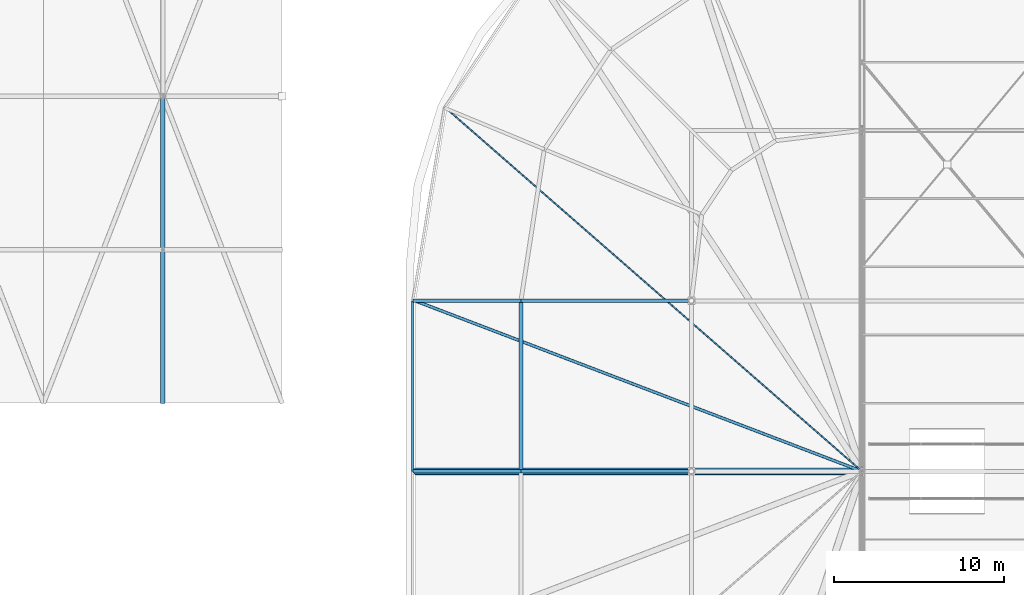
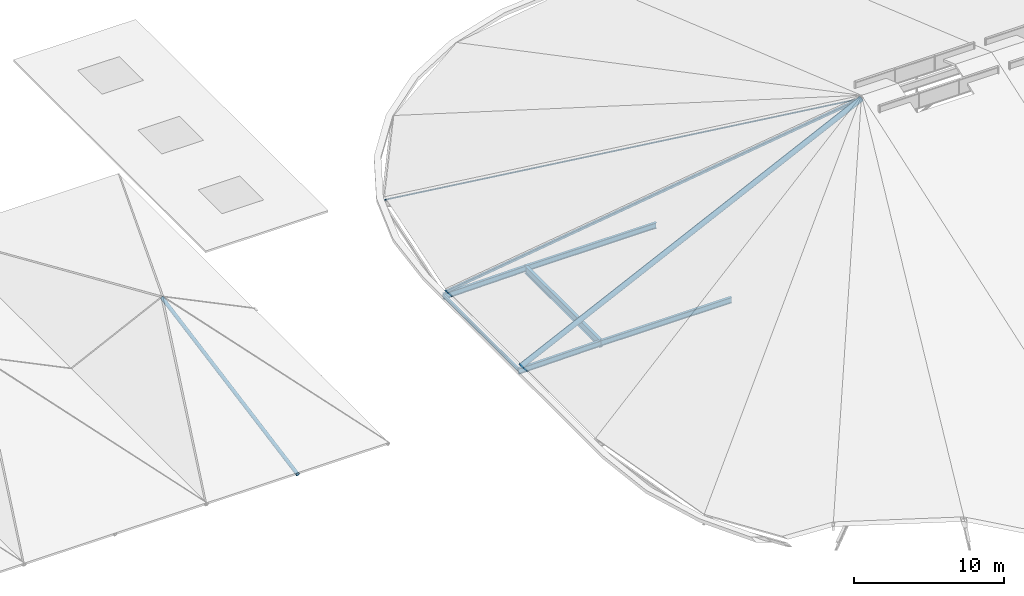
# One storey, part 6 of 93: 6 beams, 4 members.
"""IFC4 building model written with IfcOpenShell, lengths in metres."""

from ifc_helpers import new_model, si_unit, derived_unit, direction, frame, origin, origin_2d_with_axis, place, context, subcontext, project, spatial, hollow_rectangle, hollow_circle, i_section, extrude, material, material_profile, profile_set, type_object, element, save


model = new_model("IFC4")

# Units and contexts
model_context = context("Model", 3, precision=1e-05, world=origin(), true_north=direction((0.0, 1.0)))
body_context = subcontext(model_context, "Body", "Model", "MODEL_VIEW")
ifc_project = project(units=[si_unit("LENGTHUNIT", "METRE"), si_unit("AREAUNIT", "SQUARE_METRE"), si_unit("VOLUMEUNIT", "CUBIC_METRE"), si_unit("PLANEANGLEUNIT", "RADIAN"), si_unit("MASSUNIT", "GRAM", prefix="KILO"), derived_unit("THERMALTRANSMITTANCEUNIT", [(si_unit("POWERUNIT", "WATT"), 1), (si_unit("LENGTHUNIT", "METRE"), -2), (si_unit("THERMODYNAMICTEMPERATUREUNIT", "KELVIN"), -1)])], contexts=[model_context])

# Site, building, storey
site_placement = place(None, origin())
site = spatial("IfcSite", under=ifc_project, at=site_placement, CompositionType="ELEMENT")
building_placement = place(site_placement, origin())
building = spatial("IfcBuilding", under=site, at=building_placement, Name="Cinnabar Yard Market Hall", CompositionType="ELEMENT")
storey_placement = place(building_placement, frame((0.0, 0.0, 23.800048828125)))
storey = spatial("IfcBuildingStorey", under=building, at=storey_placement, Name="ROOF", CompositionType="ELEMENT", Elevation=23.800048828125)

# Beams
ifc_material_1 = material(Name="Steel Grade 350 (350 MPa)", Category="steel")
ifc_material_profile_1 = material_profile(ifc_material_1, i_section(OverallWidth=0.22900390625, OverallDepth=0.611572265625, WebThickness=0.011962890625, FlangeThickness=0.01953125, FilletRadius=0.013916015625, at=origin_2d_with_axis()), Name="610UB125")
ifc_profile_set_1 = profile_set([ifc_material_profile_1], Name="Steel Grade 350 (350 MPa)")
beam_type_1 = type_object("IfcBeamType", Name="BM-B01E", PredefinedType="BEAM", material=ifc_profile_set_1)
beam_1_placement = place(storey_placement, frame((66.0, 44.0, -9.705810546875), z_axis=(0.0, 1.0, 0.0), x_axis=(-1.0, 0.0, 0.0)))
element("IfcBeam", 1, at=beam_1_placement, inside=storey, type_object=beam_type_1, Name="West Springer Girder 00370", PredefinedType="BEAM", context=body_context, shape_type="SweptSolid", body=[
    extrude(i_section(OverallWidth=0.22900390625, OverallDepth=0.611572265625, WebThickness=0.011962890625, FlangeThickness=0.01953125, FilletRadius=0.013916015625, at=origin_2d_with_axis()), origin(), (0.0, 0.0, 1.0), 10.0),
])
ifc_material_2 = material(Name="Steel Grade 300 (300 MPa)", Category="steel")
ifc_material_profile_2 = material_profile(ifc_material_2, i_section(OverallWidth=0.19091796875, OverallDepth=0.46044921875, WebThickness=0.010009765625, FlangeThickness=0.01611328125, FilletRadius=0.011474609375, at=origin_2d_with_axis()), Name="460UB82.1")
ifc_profile_set_2 = profile_set([ifc_material_profile_2], Name="Steel Grade 300 (300 MPa)")
beam_type_2 = type_object("IfcBeamType", Name="BM-B04", PredefinedType="BEAM", material=ifc_profile_set_2)
for number, where, z_axis, x_axis, name in (
    (2, (76.0, 44.0, -9.630126953125), (-1.0, 0.0, 0.0), (0.0, -1.0, 0.0), "West Chhajja Backspan Girder 00564"),
    (3, (76.0, 54.0, -9.630126953125), (-1.0, 0.0, 0.0), (0.0, -1.0, 0.0), "West Chhajja Backspan Girder 00568"),
):
    element("IfcBeam", number, at=place(storey_placement, frame(where, z_axis=z_axis, x_axis=x_axis)), inside=storey, type_object=beam_type_2, Name=name, PredefinedType="BEAM", context=body_context, shape_type="SweptSolid", body=[
        extrude(i_section(OverallWidth=0.19091796875, OverallDepth=0.46044921875, WebThickness=0.010009765625, FlangeThickness=0.01611328125, FilletRadius=0.011474609375, at=origin_2d_with_axis()), origin(), (0.0, 0.0, 1.0), 10.0),
    ])
ifc_material_profile_3 = material_profile(ifc_material_2, i_section(OverallWidth=0.19091796875, OverallDepth=0.46044921875, WebThickness=0.010009765625, FlangeThickness=0.01611328125, FilletRadius=0.011474609375, at=origin_2d_with_axis()), Name="460UB82.1")
ifc_profile_set_3 = profile_set([ifc_material_profile_3], Name="Steel Grade 300 (300 MPa)")
beam_type_3 = type_object("IfcBeamType", Name="BM-RF02E", PredefinedType="BEAM", material=ifc_profile_set_3)
for number, where, z_axis, x_axis, name in (
    (4, (66.0, 44.0, -9.630126953125), (-0.999920245484, 0.0, -0.012629436656), (0.0, -1.0, 0.0), "West Chhajja Cantilever Rafter 00565"),
    (5, (66.0, 54.0, -9.630126953125), (-0.999920245484, 0.0, -0.012629436656), (0.0, -1.0, 0.0), "West Chhajja Cantilever Rafter 00569"),
):
    element("IfcBeam", number, at=place(storey_placement, frame(where, z_axis=z_axis, x_axis=x_axis)), inside=storey, type_object=beam_type_3, Name=name, PredefinedType="BEAM", context=body_context, shape_type="SweptSolid", body=[
        extrude(i_section(OverallWidth=0.19091796875, OverallDepth=0.46044921875, WebThickness=0.010009765625, FlangeThickness=0.01611328125, FilletRadius=0.011474609375, at=origin_2d_with_axis()), origin(), (0.0, 0.0, 1.0), 6.340576171875),
    ])
ifc_material_3 = material(Name="Cold-formed steel C350L0", Category="steel")
ifc_material_profile_4 = material_profile(ifc_material_3, hollow_rectangle(XDim=0.14990234375, YDim=0.25, WallThickness=0.009033203125, InnerFilletRadius=0.009033203125, OuterFilletRadius=0.01806640625, at=origin_2d_with_axis()), Name="250x150x9.0RHS")
ifc_profile_set_4 = profile_set([ifc_material_profile_4], Name="Cold-formed steel C350L0")
beam_type_4 = type_object("IfcBeamType", Name="BM-SP01E", PredefinedType="SPANDREL", material=ifc_profile_set_4)
beam_2_placement = place(storey_placement, frame((59.659912109375, 44.0, -9.60498046875), z_axis=(0.0, 1.0, 0.0), x_axis=(-1.0, 0.0, 0.0)))
element("IfcBeam", 6, at=beam_2_placement, inside=storey, type_object=beam_type_4, Name="West Eave Fascia 00574", PredefinedType="SPANDREL", context=body_context, shape_type="SweptSolid", body=[
    extrude(hollow_rectangle(XDim=0.14990234375, YDim=0.25, WallThickness=0.009033203125, InnerFilletRadius=0.009033203125, OuterFilletRadius=0.01806640625, at=origin_2d_with_axis()), origin(), (0.0, 0.0, 1.0), 10.0),
])

# Members
ifc_material_profile_5 = material_profile(ifc_material_3, hollow_rectangle(XDim=0.175048828125, YDim=0.175048828125, WallThickness=0.006103515625, InnerFilletRadius=0.006103515625, OuterFilletRadius=0.011962890625, at=origin_2d_with_axis()), Name="175x175x6.0SHS")
ifc_profile_set_5 = profile_set([ifc_material_profile_5], Name="Cold-formed steel C350L0")
member_type_1 = type_object("IfcMemberType", Name="MB-BR05", PredefinedType="BRACE", material=ifc_profile_set_5)
member_1_placement = place(storey_placement, frame((86.0, 44.0, 3.199951171875), z_axis=(-0.852194344827, 0.325265623297, -0.409837861776), x_axis=(-0.356588973072, -0.934261368292, 0.0)))
element("IfcMember", 7, at=member_1_placement, inside=storey, type_object=member_type_1, Name="West Apsidal Hip Rafter 06", PredefinedType="BRACE", context=body_context, shape_type="SweptSolid", body=[
    extrude(hollow_rectangle(XDim=0.175048828125, YDim=0.175048828125, WallThickness=0.006103515625, InnerFilletRadius=0.006103515625, OuterFilletRadius=0.011962890625, at=origin_2d_with_axis()), origin(), (0.0, 0.0, 1.0), 30.744140625),
])
ifc_material_profile_6 = material_profile(ifc_material_3, hollow_rectangle(XDim=0.089111328125, YDim=0.089111328125, WallThickness=0.0048828125, InnerFilletRadius=0.0048828125, OuterFilletRadius=0.010009765625, at=origin_2d_with_axis()), Name="89x89x5.0SHS")
ifc_profile_set_6 = profile_set([ifc_material_profile_6], Name="Cold-formed steel C350L0")
member_type_2 = type_object("IfcMemberType", Name="MB-BR06", PredefinedType="BRACE", material=ifc_profile_set_6)
member_2_placement = place(storey_placement, frame((86.0, 44.0, 3.199951171875), z_axis=(-0.701954212015, 0.612706049447, -0.363113730401), x_axis=(-0.657589967821, -0.753376024453, 0.0)))
element("IfcMember", 8, at=member_2_placement, inside=storey, type_object=member_type_2, Name="West Apsidal Hip Rafter 07", PredefinedType="BRACE", context=body_context, shape_type="SweptSolid", body=[
    extrude(hollow_rectangle(XDim=0.089111328125, YDim=0.089111328125, WallThickness=0.0048828125, InnerFilletRadius=0.0048828125, OuterFilletRadius=0.010009765625, at=origin_2d_with_axis()), origin(), (0.0, 0.0, 1.0), 34.7001953125),
])
ifc_material_profile_7 = material_profile(ifc_material_3, hollow_circle(Radius=0.136474609375, WallThickness=0.00927734375, at=origin_2d_with_axis()), Name="273.1x9.3CHS")
ifc_profile_set_7 = profile_set([ifc_material_profile_7], Name="Cold-formed steel C350L0")
member_type_3 = type_object("IfcMemberType", Name="MB-TC02", PredefinedType="CHORD", material=ifc_profile_set_7)
member_3_placement = place(storey_placement, frame((45.0, 48.0, -15.400146484375), z_axis=(0.0, 0.982622643196, 0.185614495874), x_axis=(-1.0, 0.0, 0.0)))
element("IfcMember", 9, at=member_3_placement, inside=storey, type_object=member_type_3, Name="Chhatri Hip Rafter CH3-5", PredefinedType="CHORD", context=body_context, shape_type="SweptSolid", body=[
    extrude(hollow_circle(Radius=0.136474609375, WallThickness=0.00927734375, at=origin_2d_with_axis()), origin(), (0.0, 0.0, 1.0), 18.318359375),
])
ifc_material_profile_8 = material_profile(ifc_material_3, hollow_circle(Radius=0.203125, WallThickness=0.0126953125, at=origin_2d_with_axis()), Name="406.4x12.7CHS")
ifc_profile_set_8 = profile_set([ifc_material_profile_8], Name="Cold-formed steel C350L0")
member_type_4 = type_object("IfcMemberType", Name="MB-TC03", PredefinedType="CHORD", material=ifc_profile_set_8)
member_4_placement = place(storey_placement, frame((86.0, 44.0, 3.199951171875), z_axis=(-0.901199128012, 0.0, -0.433405274162), x_axis=(0.0, -1.0, 0.0)))
element("IfcMember", 10, at=member_4_placement, inside=storey, type_object=member_type_4, Name="West Apsidal Hip Rafter 05", PredefinedType="CHORD", context=body_context, shape_type="SweptSolid", body=[
    extrude(hollow_circle(Radius=0.203125, WallThickness=0.0126953125, at=origin_2d_with_axis()), origin(), (0.0, 0.0, 1.0), 29.072265625),
])

save(model, "model.ifc")
